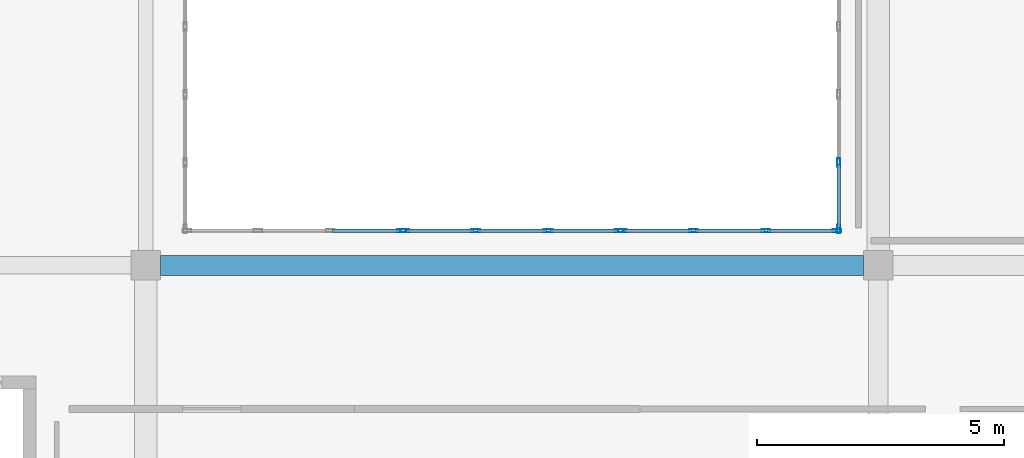
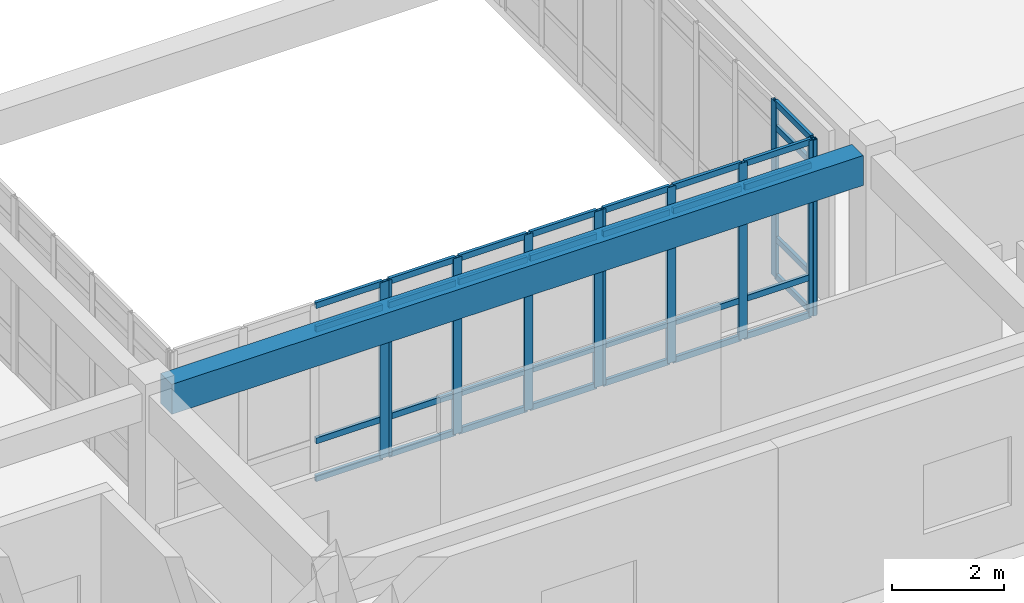
# One storey, part 84 of 146: 43 members, 1 beam, 4 elements without a shape of their own.
"""IFC4 building model written with IfcOpenShell, lengths in metres."""

from ifc_helpers import new_model, si_unit, direction, frame, origin, origin_2d, place, context, subcontext, project, spatial, rectangle, hollow_rectangle, extrude, material, layer, layer_set, material_profile, profile_set, type_object, element, aggregate, save


model = new_model("IFC4")

# Units and contexts
model_context = context("Model", 3, precision=1e-05, world=origin(), true_north=direction((0.0, 1.0)))
body_context = subcontext(model_context, "Body", "Model", "MODEL_VIEW")
ifc_project = project(units=[si_unit("LENGTHUNIT", "METRE"), si_unit("AREAUNIT", "SQUARE_METRE"), si_unit("VOLUMEUNIT", "CUBIC_METRE"), si_unit("PLANEANGLEUNIT", "RADIAN"), si_unit("MASSUNIT", "GRAM", prefix="KILO")], contexts=[model_context])

# Site, building, storey
site_placement = place(None, origin())
site = spatial("IfcSite", under=ifc_project, at=site_placement, CompositionType="ELEMENT")
building_placement = place(site_placement, origin())
building = spatial("IfcBuilding", under=site, at=building_placement, Name="Valcora Specialist Clinic", CompositionType="ELEMENT")
storey_placement = place(building_placement, frame((0.0, 0.0, 9.52001953125)))
storey = spatial("IfcBuildingStorey", under=building, at=storey_placement, Name="L02", CompositionType="ELEMENT", Elevation=9.52001953125)

# Beam
ifc_material_1 = material(Name="Concrete C40/50", Category="concrete")
ifc_material_profile_1 = material_profile(ifc_material_1, rectangle(XDim=0.39990234375, YDim=0.64990234375, at=origin_2d()), Name="RC-BM-400X650")
ifc_profile_set_1 = profile_set([ifc_material_profile_1], Name="Concrete C40/50")
beam_type = type_object("IfcBeamType", Name="TY-BM-RC400X650", PredefinedType="BEAM", material=ifc_profile_set_1)
beam_placement = place(storey_placement, frame((76.300048828125, 81.300048828125, 3.494873046875), z_axis=(1.0, 0.0, 0.0), x_axis=(0.0, 1.0, 0.0)))
element("IfcBeam", 1, at=beam_placement, inside=storey, type_object=beam_type, Name="Beam BM-L02-0705", PredefinedType="BEAM", context=body_context, shape_type="SweptSolid", body=[
    extrude(rectangle(XDim=0.39990234375, YDim=0.64990234375, at=origin_2d()), origin(), (0.0, 0.0, 1.0), 14.199951171875),
])

# Curtain wall, member
ifc_material_2 = material(Name="Anodized Bronze Aluminium 6063-T6", Category="aluminium")
ifc_layer = layer(ifc_material_2, 0.175048828125)
ifc_layer_set = layer_set([ifc_layer], Name="Anodized Bronze Aluminium 6063-T6")
curtain_wall_type = type_object("IfcCurtainWallType", Name="TY-CW-CRT15", PredefinedType="NOTDEFINED", material=ifc_layer_set)
curtain_wall_1_placement = place(storey_placement, origin())
curtain_wall_1 = element("IfcCurtainWall", 2, at=curtain_wall_1_placement, inside=storey, type_object=curtain_wall_type, Name="Curtain wall CW-L02-093", PredefinedType="NOTDEFINED")
ifc_material_profile_2 = material_profile(ifc_material_2, hollow_rectangle(XDim=0.06494140625, YDim=0.175048828125, WallThickness=0.00390625, at=origin_2d()), Name="AL-MUL-65X175")
ifc_profile_set_2 = profile_set([ifc_material_profile_2], Name="Anodized Bronze Aluminium 6063-T6")
member_type_1 = type_object("IfcMemberType", Name="TY-CWM-65X175", PredefinedType="MULLION", material=ifc_profile_set_2)
member_1_placement = place(storey_placement, frame((81.16748046875, 82.0, 0.0), z_axis=(0.0, 0.0, 1.0), x_axis=(0.0, 1.0, 0.0)))
member_1 = element("IfcMember", 3, at=member_1_placement, type_object=member_type_1, Name="CW-CRT-15 mullion 4", PredefinedType="MULLION", context=body_context, shape_type="SweptSolid", body=[
    extrude(hollow_rectangle(XDim=0.06494140625, YDim=0.175048828125, WallThickness=0.00390625, at=origin_2d()), origin(), (0.0, 0.0, 1.0), 3.820068359375),
])

# Curtain wall, members
curtain_wall_2_placement = place(storey_placement, origin())
curtain_wall_2 = element("IfcCurtainWall", 4, at=curtain_wall_2_placement, inside=storey, type_object=curtain_wall_type, Name="Curtain wall CW-L02-094", PredefinedType="NOTDEFINED")
member_2_placement = place(storey_placement, frame((81.232421875, 82.0, 0.0), z_axis=(0.0, 0.0, 1.0), x_axis=(0.0, 1.0, 0.0)))
member_2 = element("IfcMember", 5, at=member_2_placement, type_object=member_type_1, Name="CW-CRT-15 mullion 1", PredefinedType="MULLION", context=body_context, shape_type="SweptSolid", body=[
    extrude(hollow_rectangle(XDim=0.06494140625, YDim=0.175048828125, WallThickness=0.00390625, at=origin_2d()), origin(), (0.0, 0.0, 1.0), 3.820068359375),
])
member_3_placement = place(storey_placement, frame((82.666748046875, 82.0, 0.0), z_axis=(0.0, 0.0, 1.0), x_axis=(0.0, 1.0, 0.0)))
member_3 = element("IfcMember", 6, at=member_3_placement, type_object=member_type_1, Name="CW-CRT-15 mullion 2", PredefinedType="MULLION", context=body_context, shape_type="SweptSolid", body=[
    extrude(hollow_rectangle(XDim=0.06494140625, YDim=0.175048828125, WallThickness=0.00390625, at=origin_2d()), origin(), (0.0, 0.0, 1.0), 3.820068359375),
])
member_4_placement = place(storey_placement, frame((84.13330078125, 82.0, 0.0), z_axis=(0.0, 0.0, 1.0), x_axis=(0.0, 1.0, 0.0)))
member_4 = element("IfcMember", 7, at=member_4_placement, type_object=member_type_1, Name="CW-CRT-15 mullion 3", PredefinedType="MULLION", context=body_context, shape_type="SweptSolid", body=[
    extrude(hollow_rectangle(XDim=0.06494140625, YDim=0.175048828125, WallThickness=0.00390625, at=origin_2d()), origin(), (0.0, 0.0, 1.0), 3.820068359375),
])
member_5_placement = place(storey_placement, frame((85.5673828125, 82.0, 0.0), z_axis=(0.0, 0.0, 1.0), x_axis=(0.0, 1.0, 0.0)))
member_5 = element("IfcMember", 8, at=member_5_placement, type_object=member_type_1, Name="CW-CRT-15 mullion 4", PredefinedType="MULLION", context=body_context, shape_type="SweptSolid", body=[
    extrude(hollow_rectangle(XDim=0.06494140625, YDim=0.175048828125, WallThickness=0.00390625, at=origin_2d()), origin(), (0.0, 0.0, 1.0), 3.820068359375),
])

curtain_wall_3_placement = place(storey_placement, origin())
curtain_wall_3 = element("IfcCurtainWall", 9, at=curtain_wall_3_placement, inside=storey, type_object=curtain_wall_type, Name="Curtain wall CW-L02-095", PredefinedType="NOTDEFINED")
member_6_placement = place(storey_placement, frame((85.632568359375, 82.0, 0.0), z_axis=(0.0, 0.0, 1.0), x_axis=(0.0, 1.0, 0.0)))
member_6 = element("IfcMember", 10, at=member_6_placement, type_object=member_type_1, Name="CW-CRT-15 mullion 1", PredefinedType="MULLION", context=body_context, shape_type="SweptSolid", body=[
    extrude(hollow_rectangle(XDim=0.06494140625, YDim=0.175048828125, WallThickness=0.00390625, at=origin_2d()), origin(), (0.0, 0.0, 1.0), 3.820068359375),
])
member_7_placement = place(storey_placement, frame((87.066650390625, 82.0, 0.0), z_axis=(0.0, 0.0, 1.0), x_axis=(0.0, 1.0, 0.0)))
member_7 = element("IfcMember", 11, at=member_7_placement, type_object=member_type_1, Name="CW-CRT-15 mullion 2", PredefinedType="MULLION", context=body_context, shape_type="SweptSolid", body=[
    extrude(hollow_rectangle(XDim=0.06494140625, YDim=0.175048828125, WallThickness=0.00390625, at=origin_2d()), origin(), (0.0, 0.0, 1.0), 3.820068359375),
])
member_8_placement = place(storey_placement, frame((88.533447265625, 82.0, 0.0), z_axis=(0.0, 0.0, 1.0), x_axis=(0.0, 1.0, 0.0)))
member_8 = element("IfcMember", 12, at=member_8_placement, type_object=member_type_1, Name="CW-CRT-15 mullion 3", PredefinedType="MULLION", context=body_context, shape_type="SweptSolid", body=[
    extrude(hollow_rectangle(XDim=0.06494140625, YDim=0.175048828125, WallThickness=0.00390625, at=origin_2d()), origin(), (0.0, 0.0, 1.0), 3.820068359375),
])
member_9_placement = place(storey_placement, frame((89.967529296875, 82.0, 0.0), z_axis=(0.0, 0.0, 1.0), x_axis=(0.0, 1.0, 0.0)))
member_9 = element("IfcMember", 13, at=member_9_placement, type_object=member_type_1, Name="CW-CRT-15 mullion 4", PredefinedType="MULLION", context=body_context, shape_type="SweptSolid", body=[
    extrude(hollow_rectangle(XDim=0.06494140625, YDim=0.175048828125, WallThickness=0.00390625, at=origin_2d()), origin(), (0.0, 0.0, 1.0), 3.820068359375),
])

curtain_wall_4_placement = place(storey_placement, origin())
curtain_wall_4 = element("IfcCurtainWall", 14, at=curtain_wall_4_placement, inside=storey, type_object=curtain_wall_type, Name="Curtain wall CW-L02-096", PredefinedType="NOTDEFINED")
member_10_placement = place(storey_placement, frame((90.0, 82.032470703125, 0.0), z_axis=(0.0, 0.0, 1.0), x_axis=(-1.0, 0.0, 0.0)))
member_10 = element("IfcMember", 15, at=member_10_placement, type_object=member_type_1, Name="CW-CRT-15 mullion 1", PredefinedType="MULLION", context=body_context, shape_type="SweptSolid", body=[
    extrude(hollow_rectangle(XDim=0.06494140625, YDim=0.175048828125, WallThickness=0.00390625, at=origin_2d()), origin(), (0.0, 0.0, 1.0), 3.820068359375),
])
member_11_placement = place(storey_placement, frame((90.0, 83.375, 0.0), z_axis=(0.0, 0.0, 1.0), x_axis=(-1.0, 0.0, 0.0)))
member_11 = element("IfcMember", 16, at=member_11_placement, type_object=member_type_1, Name="CW-CRT-15 mullion 2", PredefinedType="MULLION", context=body_context, shape_type="SweptSolid", body=[
    extrude(hollow_rectangle(XDim=0.06494140625, YDim=0.175048828125, WallThickness=0.00390625, at=origin_2d()), origin(), (0.0, 0.0, 1.0), 3.820068359375),
])

# Member
ifc_material_profile_3 = material_profile(ifc_material_2, hollow_rectangle(XDim=0.06494140625, YDim=0.1298828125, WallThickness=0.00390625, at=origin_2d()), Name="AL-TRN-65X130")
ifc_profile_set_3 = profile_set([ifc_material_profile_3], Name="Anodized Bronze Aluminium 6063-T6")
member_type_2 = type_object("IfcMemberType", Name="TY-CWT-65X130", PredefinedType="USERDEFINED", material=ifc_profile_set_3)
member_12_placement = place(storey_placement, frame((79.765869140625, 82.0, 0.032470703125), z_axis=(1.0, 0.0, 0.0), x_axis=(0.0, 1.0, 0.0)))
member_12 = element("IfcMember", 17, at=member_12_placement, type_object=member_type_2, Name="CW-CRT-15 transom 3.1", ObjectType="TRANSOM", PredefinedType="USERDEFINED", context=body_context, shape_type="SweptSolid", body=[
    extrude(hollow_rectangle(XDim=0.06494140625, YDim=0.1298828125, WallThickness=0.00390625, at=origin_2d()), origin(), (0.0, 0.0, 1.0), 1.369140625),
])

member_13_placement = place(storey_placement, frame((79.765869140625, 82.0, 0.85009765625), z_axis=(1.0, 0.0, 0.0), x_axis=(0.0, 1.0, 0.0)))
member_13 = element("IfcMember", 18, at=member_13_placement, type_object=member_type_2, Name="CW-CRT-15 transom 3.2", ObjectType="TRANSOM", PredefinedType="USERDEFINED", context=body_context, shape_type="SweptSolid", body=[
    extrude(hollow_rectangle(XDim=0.06494140625, YDim=0.1298828125, WallThickness=0.00390625, at=origin_2d()), origin(), (0.0, 0.0, 1.0), 1.369140625),
])

member_14_placement = place(storey_placement, frame((79.765869140625, 82.0, 3.27001953125), z_axis=(1.0, 0.0, 0.0), x_axis=(0.0, 1.0, 0.0)))
member_14 = element("IfcMember", 19, at=member_14_placement, type_object=member_type_2, Name="CW-CRT-15 transom 3.3", ObjectType="TRANSOM", PredefinedType="USERDEFINED", context=body_context, shape_type="SweptSolid", body=[
    extrude(hollow_rectangle(XDim=0.06494140625, YDim=0.1298828125, WallThickness=0.00390625, at=origin_2d()), origin(), (0.0, 0.0, 1.0), 1.369140625),
])

member_15_placement = place(storey_placement, frame((79.765869140625, 82.0, 3.78759765625), z_axis=(1.0, 0.0, 0.0), x_axis=(0.0, 1.0, 0.0)))
member_15 = element("IfcMember", 20, at=member_15_placement, type_object=member_type_2, Name="CW-CRT-15 transom 3.4", ObjectType="TRANSOM", PredefinedType="USERDEFINED", context=body_context, shape_type="SweptSolid", body=[
    extrude(hollow_rectangle(XDim=0.06494140625, YDim=0.1298828125, WallThickness=0.00390625, at=origin_2d()), origin(), (0.0, 0.0, 1.0), 1.369140625),
])

aggregate(curtain_wall_1, [member_1, member_12, member_13, member_14, member_15])

member_16_placement = place(storey_placement, frame((81.264892578125, 82.0, 0.032470703125), z_axis=(1.0, 0.0, 0.0), x_axis=(0.0, 1.0, 0.0)))
member_16 = element("IfcMember", 21, at=member_16_placement, type_object=member_type_2, Name="CW-CRT-15 transom 1.1", ObjectType="TRANSOM", PredefinedType="USERDEFINED", context=body_context, shape_type="SweptSolid", body=[
    extrude(hollow_rectangle(XDim=0.06494140625, YDim=0.1298828125, WallThickness=0.00390625, at=origin_2d()), origin(), (0.0, 0.0, 1.0), 1.369384765625),
])

member_17_placement = place(storey_placement, frame((81.264892578125, 82.0, 0.85009765625), z_axis=(1.0, 0.0, 0.0), x_axis=(0.0, 1.0, 0.0)))
member_17 = element("IfcMember", 22, at=member_17_placement, type_object=member_type_2, Name="CW-CRT-15 transom 1.2", ObjectType="TRANSOM", PredefinedType="USERDEFINED", context=body_context, shape_type="SweptSolid", body=[
    extrude(hollow_rectangle(XDim=0.06494140625, YDim=0.1298828125, WallThickness=0.00390625, at=origin_2d()), origin(), (0.0, 0.0, 1.0), 1.369384765625),
])

member_18_placement = place(storey_placement, frame((81.264892578125, 82.0, 3.27001953125), z_axis=(1.0, 0.0, 0.0), x_axis=(0.0, 1.0, 0.0)))
member_18 = element("IfcMember", 23, at=member_18_placement, type_object=member_type_2, Name="CW-CRT-15 transom 1.3", ObjectType="TRANSOM", PredefinedType="USERDEFINED", context=body_context, shape_type="SweptSolid", body=[
    extrude(hollow_rectangle(XDim=0.06494140625, YDim=0.1298828125, WallThickness=0.00390625, at=origin_2d()), origin(), (0.0, 0.0, 1.0), 1.369384765625),
])

member_19_placement = place(storey_placement, frame((81.264892578125, 82.0, 3.78759765625), z_axis=(1.0, 0.0, 0.0), x_axis=(0.0, 1.0, 0.0)))
member_19 = element("IfcMember", 24, at=member_19_placement, type_object=member_type_2, Name="CW-CRT-15 transom 1.4", ObjectType="TRANSOM", PredefinedType="USERDEFINED", context=body_context, shape_type="SweptSolid", body=[
    extrude(hollow_rectangle(XDim=0.06494140625, YDim=0.1298828125, WallThickness=0.00390625, at=origin_2d()), origin(), (0.0, 0.0, 1.0), 1.369384765625),
])

member_20_placement = place(storey_placement, frame((82.69921875, 82.0, 0.032470703125), z_axis=(1.0, 0.0, 0.0), x_axis=(0.0, 1.0, 0.0)))
member_20 = element("IfcMember", 25, at=member_20_placement, type_object=member_type_2, Name="CW-CRT-15 transom 2.1", ObjectType="TRANSOM", PredefinedType="USERDEFINED", context=body_context, shape_type="SweptSolid", body=[
    extrude(hollow_rectangle(XDim=0.06494140625, YDim=0.1298828125, WallThickness=0.00390625, at=origin_2d()), origin(), (0.0, 0.0, 1.0), 1.401611328125),
])

member_21_placement = place(storey_placement, frame((82.69921875, 82.0, 0.85009765625), z_axis=(1.0, 0.0, 0.0), x_axis=(0.0, 1.0, 0.0)))
member_21 = element("IfcMember", 26, at=member_21_placement, type_object=member_type_2, Name="CW-CRT-15 transom 2.2", ObjectType="TRANSOM", PredefinedType="USERDEFINED", context=body_context, shape_type="SweptSolid", body=[
    extrude(hollow_rectangle(XDim=0.06494140625, YDim=0.1298828125, WallThickness=0.00390625, at=origin_2d()), origin(), (0.0, 0.0, 1.0), 1.401611328125),
])

member_22_placement = place(storey_placement, frame((82.69921875, 82.0, 3.27001953125), z_axis=(1.0, 0.0, 0.0), x_axis=(0.0, 1.0, 0.0)))
member_22 = element("IfcMember", 27, at=member_22_placement, type_object=member_type_2, Name="CW-CRT-15 transom 2.3", ObjectType="TRANSOM", PredefinedType="USERDEFINED", context=body_context, shape_type="SweptSolid", body=[
    extrude(hollow_rectangle(XDim=0.06494140625, YDim=0.1298828125, WallThickness=0.00390625, at=origin_2d()), origin(), (0.0, 0.0, 1.0), 1.401611328125),
])

member_23_placement = place(storey_placement, frame((82.69921875, 82.0, 3.78759765625), z_axis=(1.0, 0.0, 0.0), x_axis=(0.0, 1.0, 0.0)))
member_23 = element("IfcMember", 28, at=member_23_placement, type_object=member_type_2, Name="CW-CRT-15 transom 2.4", ObjectType="TRANSOM", PredefinedType="USERDEFINED", context=body_context, shape_type="SweptSolid", body=[
    extrude(hollow_rectangle(XDim=0.06494140625, YDim=0.1298828125, WallThickness=0.00390625, at=origin_2d()), origin(), (0.0, 0.0, 1.0), 1.401611328125),
])

member_24_placement = place(storey_placement, frame((84.165771484375, 82.0, 0.032470703125), z_axis=(1.0, 0.0, 0.0), x_axis=(0.0, 1.0, 0.0)))
member_24 = element("IfcMember", 29, at=member_24_placement, type_object=member_type_2, Name="CW-CRT-15 transom 3.1", ObjectType="TRANSOM", PredefinedType="USERDEFINED", context=body_context, shape_type="SweptSolid", body=[
    extrude(hollow_rectangle(XDim=0.06494140625, YDim=0.1298828125, WallThickness=0.00390625, at=origin_2d()), origin(), (0.0, 0.0, 1.0), 1.369140625),
])

member_25_placement = place(storey_placement, frame((84.165771484375, 82.0, 0.85009765625), z_axis=(1.0, 0.0, 0.0), x_axis=(0.0, 1.0, 0.0)))
member_25 = element("IfcMember", 30, at=member_25_placement, type_object=member_type_2, Name="CW-CRT-15 transom 3.2", ObjectType="TRANSOM", PredefinedType="USERDEFINED", context=body_context, shape_type="SweptSolid", body=[
    extrude(hollow_rectangle(XDim=0.06494140625, YDim=0.1298828125, WallThickness=0.00390625, at=origin_2d()), origin(), (0.0, 0.0, 1.0), 1.369140625),
])

member_26_placement = place(storey_placement, frame((84.165771484375, 82.0, 3.27001953125), z_axis=(1.0, 0.0, 0.0), x_axis=(0.0, 1.0, 0.0)))
member_26 = element("IfcMember", 31, at=member_26_placement, type_object=member_type_2, Name="CW-CRT-15 transom 3.3", ObjectType="TRANSOM", PredefinedType="USERDEFINED", context=body_context, shape_type="SweptSolid", body=[
    extrude(hollow_rectangle(XDim=0.06494140625, YDim=0.1298828125, WallThickness=0.00390625, at=origin_2d()), origin(), (0.0, 0.0, 1.0), 1.369140625),
])

member_27_placement = place(storey_placement, frame((84.165771484375, 82.0, 3.78759765625), z_axis=(1.0, 0.0, 0.0), x_axis=(0.0, 1.0, 0.0)))
member_27 = element("IfcMember", 32, at=member_27_placement, type_object=member_type_2, Name="CW-CRT-15 transom 3.4", ObjectType="TRANSOM", PredefinedType="USERDEFINED", context=body_context, shape_type="SweptSolid", body=[
    extrude(hollow_rectangle(XDim=0.06494140625, YDim=0.1298828125, WallThickness=0.00390625, at=origin_2d()), origin(), (0.0, 0.0, 1.0), 1.369140625),
])

aggregate(curtain_wall_2, [member_2, member_3, member_4, member_5, member_16, member_17, member_18, member_19, member_20, member_21, member_22, member_23, member_24, member_25, member_26, member_27])

member_28_placement = place(storey_placement, frame((85.6650390625, 82.0, 0.032470703125), z_axis=(1.0, 0.0, 0.0), x_axis=(0.0, 1.0, 0.0)))
member_28 = element("IfcMember", 33, at=member_28_placement, type_object=member_type_2, Name="CW-CRT-15 transom 1.1", ObjectType="TRANSOM", PredefinedType="USERDEFINED", context=body_context, shape_type="SweptSolid", body=[
    extrude(hollow_rectangle(XDim=0.06494140625, YDim=0.1298828125, WallThickness=0.00390625, at=origin_2d()), origin(), (0.0, 0.0, 1.0), 1.369140625),
])

member_29_placement = place(storey_placement, frame((85.6650390625, 82.0, 0.85009765625), z_axis=(1.0, 0.0, 0.0), x_axis=(0.0, 1.0, 0.0)))
member_29 = element("IfcMember", 34, at=member_29_placement, type_object=member_type_2, Name="CW-CRT-15 transom 1.2", ObjectType="TRANSOM", PredefinedType="USERDEFINED", context=body_context, shape_type="SweptSolid", body=[
    extrude(hollow_rectangle(XDim=0.06494140625, YDim=0.1298828125, WallThickness=0.00390625, at=origin_2d()), origin(), (0.0, 0.0, 1.0), 1.369140625),
])

member_30_placement = place(storey_placement, frame((85.6650390625, 82.0, 3.27001953125), z_axis=(1.0, 0.0, 0.0), x_axis=(0.0, 1.0, 0.0)))
member_30 = element("IfcMember", 35, at=member_30_placement, type_object=member_type_2, Name="CW-CRT-15 transom 1.3", ObjectType="TRANSOM", PredefinedType="USERDEFINED", context=body_context, shape_type="SweptSolid", body=[
    extrude(hollow_rectangle(XDim=0.06494140625, YDim=0.1298828125, WallThickness=0.00390625, at=origin_2d()), origin(), (0.0, 0.0, 1.0), 1.369140625),
])

member_31_placement = place(storey_placement, frame((85.6650390625, 82.0, 3.78759765625), z_axis=(1.0, 0.0, 0.0), x_axis=(0.0, 1.0, 0.0)))
member_31 = element("IfcMember", 36, at=member_31_placement, type_object=member_type_2, Name="CW-CRT-15 transom 1.4", ObjectType="TRANSOM", PredefinedType="USERDEFINED", context=body_context, shape_type="SweptSolid", body=[
    extrude(hollow_rectangle(XDim=0.06494140625, YDim=0.1298828125, WallThickness=0.00390625, at=origin_2d()), origin(), (0.0, 0.0, 1.0), 1.369140625),
])

member_32_placement = place(storey_placement, frame((87.09912109375, 82.0, 0.032470703125), z_axis=(1.0, 0.0, 0.0), x_axis=(0.0, 1.0, 0.0)))
member_32 = element("IfcMember", 37, at=member_32_placement, type_object=member_type_2, Name="CW-CRT-15 transom 2.1", ObjectType="TRANSOM", PredefinedType="USERDEFINED", context=body_context, shape_type="SweptSolid", body=[
    extrude(hollow_rectangle(XDim=0.06494140625, YDim=0.1298828125, WallThickness=0.00390625, at=origin_2d()), origin(), (0.0, 0.0, 1.0), 1.401611328125),
])

member_33_placement = place(storey_placement, frame((87.09912109375, 82.0, 0.85009765625), z_axis=(1.0, 0.0, 0.0), x_axis=(0.0, 1.0, 0.0)))
member_33 = element("IfcMember", 38, at=member_33_placement, type_object=member_type_2, Name="CW-CRT-15 transom 2.2", ObjectType="TRANSOM", PredefinedType="USERDEFINED", context=body_context, shape_type="SweptSolid", body=[
    extrude(hollow_rectangle(XDim=0.06494140625, YDim=0.1298828125, WallThickness=0.00390625, at=origin_2d()), origin(), (0.0, 0.0, 1.0), 1.401611328125),
])

member_34_placement = place(storey_placement, frame((87.09912109375, 82.0, 3.27001953125), z_axis=(1.0, 0.0, 0.0), x_axis=(0.0, 1.0, 0.0)))
member_34 = element("IfcMember", 39, at=member_34_placement, type_object=member_type_2, Name="CW-CRT-15 transom 2.3", ObjectType="TRANSOM", PredefinedType="USERDEFINED", context=body_context, shape_type="SweptSolid", body=[
    extrude(hollow_rectangle(XDim=0.06494140625, YDim=0.1298828125, WallThickness=0.00390625, at=origin_2d()), origin(), (0.0, 0.0, 1.0), 1.401611328125),
])

member_35_placement = place(storey_placement, frame((87.09912109375, 82.0, 3.78759765625), z_axis=(1.0, 0.0, 0.0), x_axis=(0.0, 1.0, 0.0)))
member_35 = element("IfcMember", 40, at=member_35_placement, type_object=member_type_2, Name="CW-CRT-15 transom 2.4", ObjectType="TRANSOM", PredefinedType="USERDEFINED", context=body_context, shape_type="SweptSolid", body=[
    extrude(hollow_rectangle(XDim=0.06494140625, YDim=0.1298828125, WallThickness=0.00390625, at=origin_2d()), origin(), (0.0, 0.0, 1.0), 1.401611328125),
])

member_36_placement = place(storey_placement, frame((88.56591796875, 82.0, 0.032470703125), z_axis=(1.0, 0.0, 0.0), x_axis=(0.0, 1.0, 0.0)))
member_36 = element("IfcMember", 41, at=member_36_placement, type_object=member_type_2, Name="CW-CRT-15 transom 3.1", ObjectType="TRANSOM", PredefinedType="USERDEFINED", context=body_context, shape_type="SweptSolid", body=[
    extrude(hollow_rectangle(XDim=0.06494140625, YDim=0.1298828125, WallThickness=0.00390625, at=origin_2d()), origin(), (0.0, 0.0, 1.0), 1.369140625),
])

member_37_placement = place(storey_placement, frame((88.56591796875, 82.0, 0.85009765625), z_axis=(1.0, 0.0, 0.0), x_axis=(0.0, 1.0, 0.0)))
member_37 = element("IfcMember", 42, at=member_37_placement, type_object=member_type_2, Name="CW-CRT-15 transom 3.2", ObjectType="TRANSOM", PredefinedType="USERDEFINED", context=body_context, shape_type="SweptSolid", body=[
    extrude(hollow_rectangle(XDim=0.06494140625, YDim=0.1298828125, WallThickness=0.00390625, at=origin_2d()), origin(), (0.0, 0.0, 1.0), 1.369140625),
])

member_38_placement = place(storey_placement, frame((88.56591796875, 82.0, 3.27001953125), z_axis=(1.0, 0.0, 0.0), x_axis=(0.0, 1.0, 0.0)))
member_38 = element("IfcMember", 43, at=member_38_placement, type_object=member_type_2, Name="CW-CRT-15 transom 3.3", ObjectType="TRANSOM", PredefinedType="USERDEFINED", context=body_context, shape_type="SweptSolid", body=[
    extrude(hollow_rectangle(XDim=0.06494140625, YDim=0.1298828125, WallThickness=0.00390625, at=origin_2d()), origin(), (0.0, 0.0, 1.0), 1.369140625),
])

member_39_placement = place(storey_placement, frame((88.56591796875, 82.0, 3.78759765625), z_axis=(1.0, 0.0, 0.0), x_axis=(0.0, 1.0, 0.0)))
member_39 = element("IfcMember", 44, at=member_39_placement, type_object=member_type_2, Name="CW-CRT-15 transom 3.4", ObjectType="TRANSOM", PredefinedType="USERDEFINED", context=body_context, shape_type="SweptSolid", body=[
    extrude(hollow_rectangle(XDim=0.06494140625, YDim=0.1298828125, WallThickness=0.00390625, at=origin_2d()), origin(), (0.0, 0.0, 1.0), 1.369140625),
])

aggregate(curtain_wall_3, [member_6, member_7, member_8, member_9, member_28, member_29, member_30, member_31, member_32, member_33, member_34, member_35, member_36, member_37, member_38, member_39])

member_40_placement = place(storey_placement, frame((90.0, 82.06494140625, 0.032470703125), z_axis=(0.0, 1.0, 0.0), x_axis=(-1.0, 0.0, 0.0)))
member_40 = element("IfcMember", 45, at=member_40_placement, type_object=member_type_2, Name="CW-CRT-15 transom 1.1", ObjectType="TRANSOM", PredefinedType="USERDEFINED", context=body_context, shape_type="SweptSolid", body=[
    extrude(hollow_rectangle(XDim=0.06494140625, YDim=0.1298828125, WallThickness=0.00390625, at=origin_2d()), origin(), (0.0, 0.0, 1.0), 1.277587890625),
])

member_41_placement = place(storey_placement, frame((90.0, 82.06494140625, 0.85009765625), z_axis=(0.0, 1.0, 0.0), x_axis=(-1.0, 0.0, 0.0)))
member_41 = element("IfcMember", 46, at=member_41_placement, type_object=member_type_2, Name="CW-CRT-15 transom 1.2", ObjectType="TRANSOM", PredefinedType="USERDEFINED", context=body_context, shape_type="SweptSolid", body=[
    extrude(hollow_rectangle(XDim=0.06494140625, YDim=0.1298828125, WallThickness=0.00390625, at=origin_2d()), origin(), (0.0, 0.0, 1.0), 1.277587890625),
])

member_42_placement = place(storey_placement, frame((90.0, 82.06494140625, 3.27001953125), z_axis=(0.0, 1.0, 0.0), x_axis=(-1.0, 0.0, 0.0)))
member_42 = element("IfcMember", 47, at=member_42_placement, type_object=member_type_2, Name="CW-CRT-15 transom 1.3", ObjectType="TRANSOM", PredefinedType="USERDEFINED", context=body_context, shape_type="SweptSolid", body=[
    extrude(hollow_rectangle(XDim=0.06494140625, YDim=0.1298828125, WallThickness=0.00390625, at=origin_2d()), origin(), (0.0, 0.0, 1.0), 1.277587890625),
])

member_43_placement = place(storey_placement, frame((90.0, 82.06494140625, 3.78759765625), z_axis=(0.0, 1.0, 0.0), x_axis=(-1.0, 0.0, 0.0)))
member_43 = element("IfcMember", 48, at=member_43_placement, type_object=member_type_2, Name="CW-CRT-15 transom 1.4", ObjectType="TRANSOM", PredefinedType="USERDEFINED", context=body_context, shape_type="SweptSolid", body=[
    extrude(hollow_rectangle(XDim=0.06494140625, YDim=0.1298828125, WallThickness=0.00390625, at=origin_2d()), origin(), (0.0, 0.0, 1.0), 1.277587890625),
])

aggregate(curtain_wall_4, [member_10, member_11, member_40, member_41, member_42, member_43])

save(model, "model.ifc")
